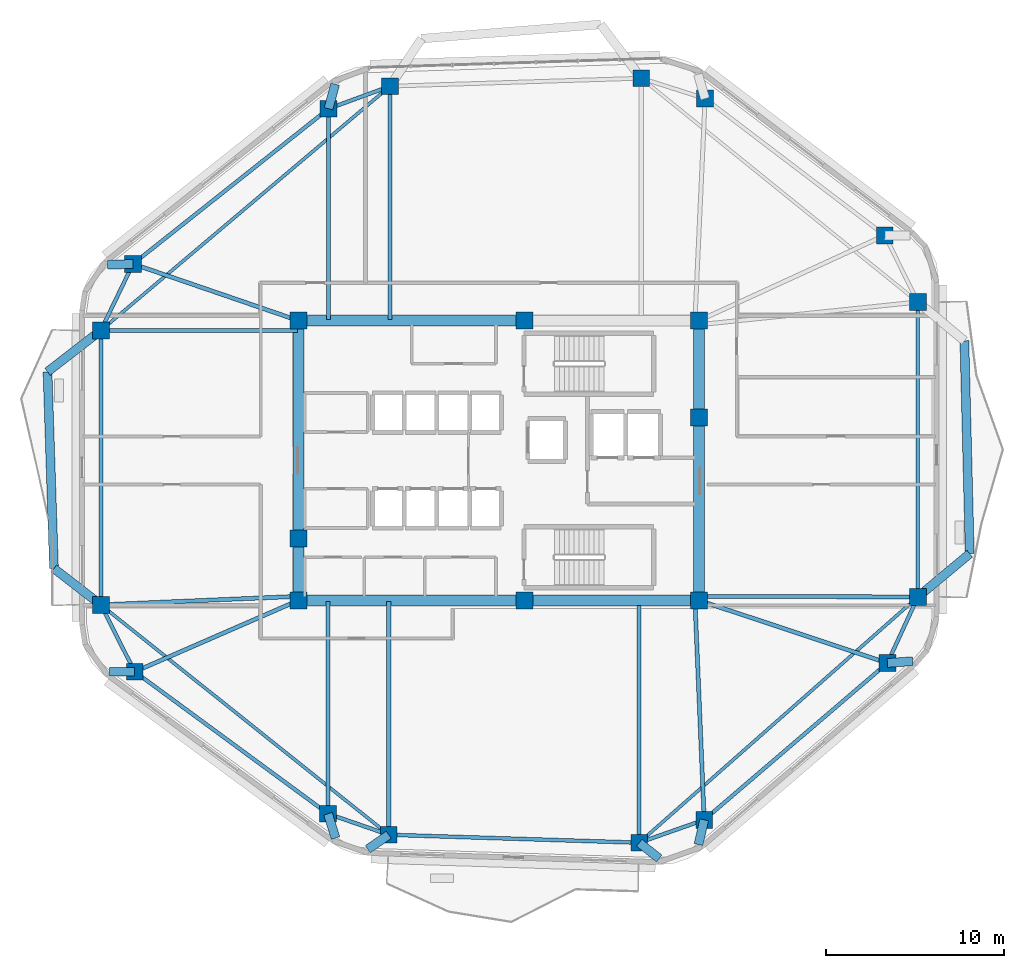
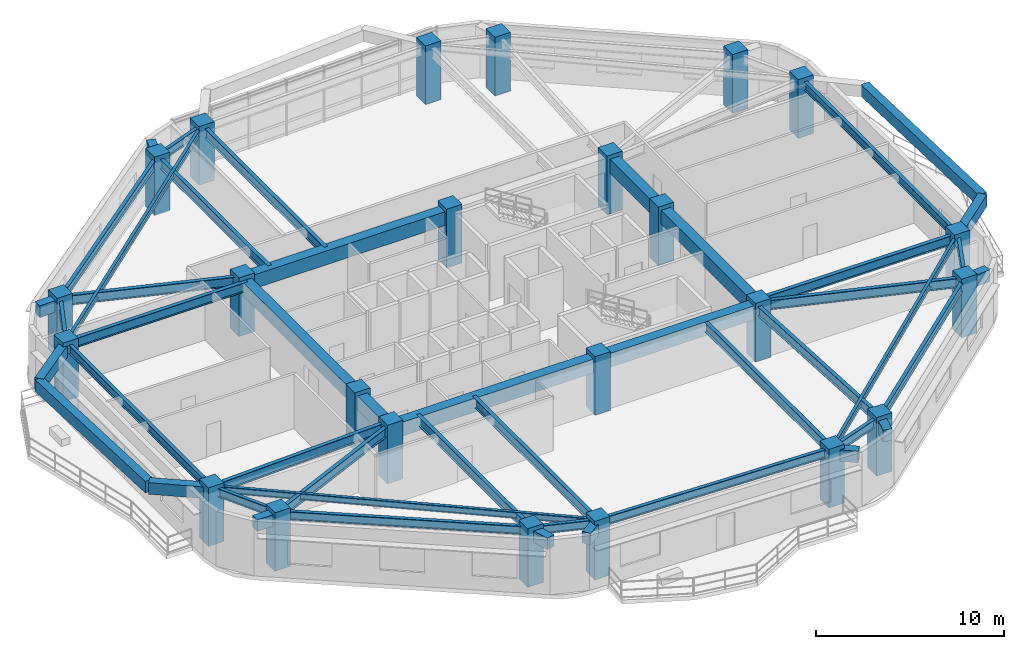
# One storey, part 1 of 12: 47 beams, 24 columns.
"""IFC4 building model written with IfcOpenShell, lengths in metres."""

from ifc_helpers import new_model, si_unit, direction, frame, origin, origin_2d, place, context, subcontext, project, spatial, rectangle, i_section, extrude, material, material_profile, profile_set, type_object, element, save


model = new_model("IFC4")

# Units and contexts
model_context = context("Model", 3, precision=1e-05, world=origin(), true_north=direction((0.0, 1.0)))
body_context = subcontext(model_context, "Body", "Model", "MODEL_VIEW")
ifc_project = project(units=[si_unit("LENGTHUNIT", "METRE"), si_unit("AREAUNIT", "SQUARE_METRE"), si_unit("VOLUMEUNIT", "CUBIC_METRE"), si_unit("PLANEANGLEUNIT", "RADIAN"), si_unit("MASSUNIT", "GRAM", prefix="KILO")], contexts=[model_context])

# Site, building, storey
site_placement = place(None, origin())
site = spatial("IfcSite", under=ifc_project, at=site_placement, CompositionType="ELEMENT")
building_placement = place(site_placement, origin())
building = spatial("IfcBuilding", under=site, at=building_placement, Name="Zulverin Broadcast Headquarters", CompositionType="ELEMENT")
storey_placement = place(building_placement, frame((0.0, 0.0, 170.60009765625)))
storey = spatial("IfcBuildingStorey", under=building, at=storey_placement, Name="L43", CompositionType="ELEMENT", Elevation=170.60009765625)

# Columns
ifc_material_1 = material(Name="Concrete C50/60", Category="concrete")
ifc_material_profile_1 = material_profile(ifc_material_1, rectangle(XDim=0.949951171875, YDim=0.949951171875, at=origin_2d()), Name="Concrete C50/60", Category="concrete")
ifc_profile_set_1 = profile_set([ifc_material_profile_1], Name="Concrete C50/60")
column_type_1 = type_object("IfcColumnType", Name="COL-RC-950", PredefinedType="COLUMN", material=ifc_profile_set_1)
for number, where, z_axis, x_axis, name in (
    (1, (30.80859375, 4.12744140625, 0.0), (0.0, 0.0, 1.0), (1.0, 0.0, 0.0), "L43 Perimeter Column T01"),
    (2, (44.909912109375, 3.68017578125, 0.0), (0.0, 0.0, 1.0), (1.0, 0.0, 0.0), "L43 Perimeter Column T02"),
    (3, (48.569580078125, 4.967041015625, 0.0), (0.0, 0.0, 1.0), (1.0, 0.0, 0.0), "L43 Perimeter Column T03"),
    (4, (58.886962890625, 13.798095703125, 0.0), (0.0, 0.0, 1.0), (1.0, 0.0, 0.0), "L43 Perimeter Column T04"),
    (5, (60.60009765625, 17.519287109375, 0.0), (0.0, 0.0, 1.0), (1.0, 0.0, 0.0), "L43 Perimeter Column T05"),
    (6, (60.60009765625, 34.12158203125, 0.0), (0.0, 0.0, 1.0), (1.0, 0.0, 0.0), "L43 Perimeter Column T06"),
    (7, (58.738037109375, 37.877685546875, 0.0), (0.0, 0.0, 1.0), (1.0, 0.0, 0.0), "L43 Perimeter Column T07"),
    (8, (48.62158203125, 45.574951171875, 0.0), (0.0, 0.0, 1.0), (1.0, 0.0, 0.0), "L43 Perimeter Column T08"),
    (9, (45.027587890625, 46.7236328125, 0.0), (0.0, 0.0, 1.0), (1.0, 0.0, 0.0), "L43 Perimeter Column T09"),
    (10, (30.882080078125, 46.27490234375, 0.0), (0.0, 0.0, 1.0), (1.0, 0.0, 0.0), "L43 Perimeter Column T10"),
    (11, (27.416259765625, 45.00439453125, 0.0), (0.0, 0.0, 1.0), (1.0, 0.0, 0.0), "L43 Perimeter Column T11"),
    (12, (16.40869140625, 36.26806640625, 0.0), (0.0, 0.0, 1.0), (1.0, 0.0, 0.0), "L43 Perimeter Column T12"),
    (13, (14.60009765625, 32.523193359375, 0.0), (0.0, 0.0, 1.0), (1.0, 0.0, 0.0), "L43 Perimeter Column T13"),
    (14, (14.60009765625, 17.072021484375, 0.0), (0.0, 0.0, 1.0), (1.0, 0.0, 0.0), "L43 Perimeter Column T14"),
    (15, (16.50537109375, 13.306884765625, 0.0), (0.0, 0.0, 1.0), (1.0, 0.0, 0.0), "L43 Perimeter Column T15"),
    (16, (27.38720703125, 5.309814453125, 0.0), (0.0, 0.0, 1.0), (1.0, 0.0, 0.0), "L43 Perimeter Column T16"),
):
    element("IfcColumn", number, at=place(storey_placement, frame(where, z_axis=z_axis, x_axis=x_axis)), inside=storey, type_object=column_type_1, Name=name, PredefinedType="COLUMN", context=body_context, shape_type="SweptSolid", body=[
        extrude(rectangle(XDim=0.949951171875, YDim=0.949951171875, at=origin_2d()), origin(), (0.0, 0.0, 1.0), 3.7998046875),
    ])
ifc_material_profile_2 = material_profile(ifc_material_1, rectangle(XDim=0.949951171875, YDim=0.949951171875, at=origin_2d()), Name="Concrete C50/60", Category="concrete")
ifc_profile_set_2 = profile_set([ifc_material_profile_2], Name="Concrete C50/60")
column_type_2 = type_object("IfcColumnType", Name="PIL-RC-950", PredefinedType="PILASTER", material=ifc_profile_set_2)
for number, where, z_axis, x_axis, name in (
    (17, (25.72509765625, 17.324951171875, 0.0), (0.0, 0.0, 1.0), (1.0, 0.0, 0.0), "L43 Core Pilaster K01"),
    (18, (38.449951171875, 17.324951171875, 0.0), (0.0, 0.0, 1.0), (1.0, 0.0, 0.0), "L43 Core Pilaster K02"),
    (19, (48.27490234375, 17.324951171875, 0.0), (0.0, 0.0, 1.0), (1.0, 0.0, 0.0), "L43 Core Pilaster K03"),
    (20, (48.27490234375, 27.6201171875, 0.0), (0.0, 0.0, 1.0), (1.0, 0.0, 0.0), "L43 Core Pilaster K04"),
    (21, (48.27490234375, 33.074951171875, 0.0), (0.0, 0.0, 1.0), (1.0, 0.0, 0.0), "L43 Core Pilaster K05"),
    (22, (38.449951171875, 33.074951171875, 0.0), (0.0, 0.0, 1.0), (1.0, 0.0, 0.0), "L43 Core Pilaster K06"),
    (23, (25.72509765625, 33.074951171875, 0.0), (0.0, 0.0, 1.0), (1.0, 0.0, 0.0), "L43 Core Pilaster K07"),
    (24, (25.72509765625, 20.800048828125, 0.0), (0.0, 0.0, 1.0), (1.0, 0.0, 0.0), "L43 Core Pilaster K08"),
):
    element("IfcColumn", number, at=place(storey_placement, frame(where, z_axis=z_axis, x_axis=x_axis)), inside=storey, type_object=column_type_2, Name=name, PredefinedType="PILASTER", context=body_context, shape_type="SweptSolid", body=[
        extrude(rectangle(XDim=0.949951171875, YDim=0.949951171875, at=origin_2d()), origin(), (0.0, 0.0, 1.0), 3.7998046875),
    ])

# Beams
ifc_material_2 = material(Name="Concrete C60/75", Category="concrete")
ifc_material_profile_3 = material_profile(ifc_material_2, rectangle(XDim=0.60009765625, YDim=0.89990234375, at=origin_2d()), Name="Concrete C60/75", Category="concrete")
ifc_profile_set_3 = profile_set([ifc_material_profile_3], Name="Concrete C60/75")
beam_type_1 = type_object("IfcBeamType", Name="BM-CB-600x900", PredefinedType="LINTEL", material=ifc_profile_set_3)
beam_1_placement = place(storey_placement, frame((25.72509765625, 17.324951171875, 3.08984375), z_axis=(1.0, 0.0, 0.0), x_axis=(0.0, 1.0, 0.0)))
element("IfcBeam", 25, at=beam_1_placement, inside=storey, type_object=beam_type_1, Name="L43 Core Coupling Girder K01-K02", PredefinedType="LINTEL", context=body_context, shape_type="SweptSolid", body=[
    extrude(rectangle(XDim=0.60009765625, YDim=0.89990234375, at=origin_2d()), origin(), (0.0, 0.0, 1.0), 12.724853515625),
])
beam_2_placement = place(storey_placement, frame((38.449951171875, 17.324951171875, 3.08984375), z_axis=(1.0, 0.0, 0.0), x_axis=(0.0, 1.0, 0.0)))
element("IfcBeam", 26, at=beam_2_placement, inside=storey, type_object=beam_type_1, Name="L43 Core Coupling Girder K02-K03", PredefinedType="LINTEL", context=body_context, shape_type="SweptSolid", body=[
    extrude(rectangle(XDim=0.60009765625, YDim=0.89990234375, at=origin_2d()), origin(), (0.0, 0.0, 1.0), 9.824951171875),
])
beam_3_placement = place(storey_placement, frame((48.27490234375, 17.324951171875, 3.08984375), z_axis=(0.0, 1.0, 0.0), x_axis=(-1.0, 0.0, 0.0)))
element("IfcBeam", 27, at=beam_3_placement, inside=storey, type_object=beam_type_1, Name="L43 Core Coupling Girder K03-K04", PredefinedType="LINTEL", context=body_context, shape_type="SweptSolid", body=[
    extrude(rectangle(XDim=0.60009765625, YDim=0.89990234375, at=origin_2d()), origin(), (0.0, 0.0, 1.0), 10.295166015625),
])
beam_4_placement = place(storey_placement, frame((48.27490234375, 27.6201171875, 3.08984375), z_axis=(0.0, 1.0, 0.0), x_axis=(-1.0, 0.0, 0.0)))
element("IfcBeam", 28, at=beam_4_placement, inside=storey, type_object=beam_type_1, Name="L43 Core Coupling Girder K04-K05", PredefinedType="LINTEL", context=body_context, shape_type="SweptSolid", body=[
    extrude(rectangle(XDim=0.60009765625, YDim=0.89990234375, at=origin_2d()), origin(), (0.0, 0.0, 1.0), 5.454833984375),
])
beam_5_placement = place(storey_placement, frame((38.449951171875, 33.074951171875, 3.08984375), z_axis=(-1.0, 0.0, 0.0), x_axis=(0.0, -1.0, 0.0)))
element("IfcBeam", 29, at=beam_5_placement, inside=storey, type_object=beam_type_1, Name="L43 Core Coupling Girder K06-K07", PredefinedType="LINTEL", context=body_context, shape_type="SweptSolid", body=[
    extrude(rectangle(XDim=0.60009765625, YDim=0.89990234375, at=origin_2d()), origin(), (0.0, 0.0, 1.0), 12.724853515625),
])
beam_6_placement = place(storey_placement, frame((25.72509765625, 33.074951171875, 3.08984375), z_axis=(0.0, -1.0, 0.0), x_axis=(1.0, 0.0, 0.0)))
element("IfcBeam", 30, at=beam_6_placement, inside=storey, type_object=beam_type_1, Name="L43 Core Coupling Girder K07-K08", PredefinedType="LINTEL", context=body_context, shape_type="SweptSolid", body=[
    extrude(rectangle(XDim=0.60009765625, YDim=0.89990234375, at=origin_2d()), origin(), (0.0, 0.0, 1.0), 12.27490234375),
])
beam_7_placement = place(storey_placement, frame((25.72509765625, 20.800048828125, 3.08984375), z_axis=(0.0, -1.0, 0.0), x_axis=(1.0, 0.0, 0.0)))
element("IfcBeam", 31, at=beam_7_placement, inside=storey, type_object=beam_type_1, Name="L43 Core Coupling Girder K08-K01", PredefinedType="LINTEL", context=body_context, shape_type="SweptSolid", body=[
    extrude(rectangle(XDim=0.60009765625, YDim=0.89990234375, at=origin_2d()), origin(), (0.0, 0.0, 1.0), 3.47509765625),
])
ifc_material_3 = material(Name="Concrete C40/50", Category="concrete")
ifc_material_profile_4 = material_profile(ifc_material_3, rectangle(XDim=0.5, YDim=0.75, at=origin_2d()), Name="Concrete C40/50", Category="concrete")
ifc_profile_set_4 = profile_set([ifc_material_profile_4], Name="Concrete C40/50")
beam_type_2 = type_object("IfcBeamType", Name="BM-RC-500x750", PredefinedType="BEAM", material=ifc_profile_set_4)
beam_8_placement = place(storey_placement, frame((30.80859375, 4.12744140625, 3.164794921875), z_axis=(-0.822689690684, -0.568490697235, 0.0), x_axis=(0.568490697235, -0.822689690684, 0.0)))
element("IfcBeam", 32, at=beam_8_placement, inside=storey, type_object=beam_type_2, Name="L44 Plate Overhang Back-Spanned Beam OVR-01", PredefinedType="BEAM", context=body_context, shape_type="SweptSolid", body=[
    extrude(rectangle(XDim=0.5, YDim=0.75, at=origin_2d()), origin(), (0.0, 0.0, 1.0), 1.43017578125),
])
beam_9_placement = place(storey_placement, frame((44.909912109375, 3.68017578125, 3.164794921875), z_axis=(0.784900247321, -0.619622144339, 0.0), x_axis=(0.619622144339, 0.784900247321, 0.0)))
element("IfcBeam", 33, at=beam_9_placement, inside=storey, type_object=beam_type_2, Name="L44 Plate Overhang Back-Spanned Beam OVR-02", PredefinedType="BEAM", context=body_context, shape_type="SweptSolid", body=[
    extrude(rectangle(XDim=0.5, YDim=0.75, at=origin_2d()), origin(), (0.0, 0.0, 1.0), 1.429931640625),
])
for number, where, z_axis, x_axis, name in (
    (34, (48.569580078125, 4.967041015625, 3.164794921875), (-0.224497908308, -0.974474570815, 0.0), (0.974474570815, -0.224497908308, 0.0), "L44 Plate Overhang Back-Spanned Beam OVR-03"),
    (35, (58.886962890625, 13.798095703125, 3.164794921875), (0.997450894981, 0.071356233801, 0.0), (-0.071356233801, 0.997450894981, 0.0), "L44 Plate Overhang Back-Spanned Beam OVR-04"),
    (36, (27.416259765625, 45.00439453125, 3.164794921875), (0.260328526912, 0.965520097189, 0.0), (-0.965520097189, 0.260328526912, 0.0), "L44 Plate Overhang Back-Spanned Beam OVR-11"),
):
    element("IfcBeam", number, at=place(storey_placement, frame(where, z_axis=z_axis, x_axis=x_axis)), inside=storey, type_object=beam_type_2, Name=name, PredefinedType="BEAM", context=body_context, shape_type="SweptSolid", body=[
        extrude(rectangle(XDim=0.5, YDim=0.75, at=origin_2d()), origin(), (0.0, 0.0, 1.0), 1.43017578125),
    ])
for number, where, z_axis, x_axis, name in (
    (37, (16.40869140625, 36.26806640625, 3.164794921875), (-0.999411057508, -0.034315275463, 0.0), (0.034315275463, -0.999411057508, 0.0), "L44 Plate Overhang Back-Spanned Beam OVR-12"),
    (38, (16.50537109375, 13.306884765625, 3.164794921875), (-0.999996268726, -0.002731763753, 0.0), (0.002731763753, -0.999996268726, 0.0), "L44 Plate Overhang Back-Spanned Beam OVR-15"),
):
    element("IfcBeam", number, at=place(storey_placement, frame(where, z_axis=z_axis, x_axis=x_axis)), inside=storey, type_object=beam_type_2, Name=name, PredefinedType="BEAM", context=body_context, shape_type="SweptSolid", body=[
        extrude(rectangle(XDim=0.5, YDim=0.75, at=origin_2d()), origin(), (0.0, 0.0, 1.0), 1.429931640625),
    ])
beam_10_placement = place(storey_placement, frame((27.38720703125, 5.309814453125, 3.164794921875), z_axis=(0.296184429368, -0.955130767905, 0.0), x_axis=(0.955130767905, 0.296184429368, 0.0)))
element("IfcBeam", 39, at=beam_10_placement, inside=storey, type_object=beam_type_2, Name="L44 Plate Overhang Back-Spanned Beam OVR-16", PredefinedType="BEAM", context=body_context, shape_type="SweptSolid", body=[
    extrude(rectangle(XDim=0.5, YDim=0.75, at=origin_2d()), origin(), (0.0, 0.0, 1.0), 1.43017578125),
])
beam_11_placement = place(storey_placement, frame((60.60009765625, 17.519287109375, 3.164794921875), z_axis=(0.768400300007, 0.639969514078, 0.0), x_axis=(-0.639969514078, 0.768400300007, 0.0)))
element("IfcBeam", 40, at=beam_11_placement, inside=storey, type_object=beam_type_2, Name="L44 Balcony Column-Framed Cantilever BAL_E-1", PredefinedType="BEAM", context=body_context, shape_type="SweptSolid", body=[
    extrude(rectangle(XDim=0.5, YDim=0.75, at=origin_2d()), origin(), (0.0, 0.0, 1.0), 3.800048828125),
])
beam_12_placement = place(storey_placement, frame((63.52001953125, 19.951171875, 3.164794921875), z_axis=(-0.025020166122, 0.999686946642, 0.0), x_axis=(-0.999686946642, -0.025020166122, 0.0)))
element("IfcBeam", 41, at=beam_12_placement, inside=storey, type_object=beam_type_2, Name="L44 Balcony Outer Edge Trimmer Beam BAL_E", PredefinedType="BEAM", context=body_context, shape_type="SweptSolid", body=[
    extrude(rectangle(XDim=0.5, YDim=0.75, at=origin_2d()), origin(), (0.0, 0.0, 1.0), 11.9921875),
])
beam_13_placement = place(storey_placement, frame((14.60009765625, 32.523193359375, 3.164794921875), z_axis=(-0.790637422513, -0.612284628356, 0.0), x_axis=(0.612284628356, -0.790637422513, 0.0)))
element("IfcBeam", 42, at=beam_13_placement, inside=storey, type_object=beam_type_2, Name="L44 Balcony Column-Framed Cantilever BAL_W-1", PredefinedType="BEAM", context=body_context, shape_type="SweptSolid", body=[
    extrude(rectangle(XDim=0.5, YDim=0.75, at=origin_2d()), origin(), (0.0, 0.0, 1.0), 3.800048828125),
])
beam_14_placement = place(storey_placement, frame((14.60009765625, 17.072021484375, 3.164794921875), z_axis=(-0.790648422099, 0.61227042443, 0.0), x_axis=(-0.61227042443, -0.790648422099, 0.0)))
element("IfcBeam", 43, at=beam_14_placement, inside=storey, type_object=beam_type_2, Name="L44 Balcony Column-Framed Cantilever BAL_W-2", PredefinedType="BEAM", context=body_context, shape_type="SweptSolid", body=[
    extrude(rectangle(XDim=0.5, YDim=0.75, at=origin_2d()), origin(), (0.0, 0.0, 1.0), 3.34228515625),
])
beam_15_placement = place(storey_placement, frame((11.595703125, 30.196533203125, 3.164794921875), z_axis=(0.032643031647, -0.999467074238, 0.0), x_axis=(0.999467074238, 0.032643031647, 0.0)))
element("IfcBeam", 44, at=beam_15_placement, inside=storey, type_object=beam_type_2, Name="L44 Balcony Outer Edge Trimmer Beam BAL_W", PredefinedType="BEAM", context=body_context, shape_type="SweptSolid", body=[
    extrude(rectangle(XDim=0.5, YDim=0.75, at=origin_2d()), origin(), (0.0, 0.0, 1.0), 11.083984375),
])
ifc_material_4 = material(Name="Structural steel S355JR", Category="steel")
ifc_material_profile_5 = material_profile(ifc_material_4, i_section(OverallWidth=0.179443359375, OverallDepth=0.412841796875, WebThickness=0.009521484375, FlangeThickness=0.01611328125, at=origin_2d()), Name="Structural steel S355JR", Category="steel")
ifc_profile_set_5 = profile_set([ifc_material_profile_5], Name="Structural steel S355JR")
beam_type_3 = type_object("IfcBeamType", Name="BM-UB-406", PredefinedType="JOIST", material=ifc_profile_set_5)
beam_16_placement = place(storey_placement, frame((44.909912109375, 3.68017578125, 3.33349609375), z_axis=(0.74996043981, 0.661482682102, 0.0), x_axis=(-0.661482682102, 0.74996043981, 0.0)))
element("IfcBeam", 45, at=beam_16_placement, inside=storey, type_object=beam_type_3, Name="L43 Chordal Floor Joist J-01", PredefinedType="JOIST", context=body_context, shape_type="SweptSolid", body=[
    extrude(i_section(OverallWidth=0.179443359375, OverallDepth=0.412841796875, WebThickness=0.009521484375, FlangeThickness=0.01611328125, at=origin_2d()), origin(), (0.0, 0.0, 1.0), 20.92138671875),
])
beam_17_placement = place(storey_placement, frame((30.882080078125, 46.27490234375, 3.33349609375), z_axis=(-0.763972566446, -0.645248725468, 0.0), x_axis=(0.645248725468, -0.763972566446, 0.0)))
element("IfcBeam", 46, at=beam_17_placement, inside=storey, type_object=beam_type_3, Name="L43 Chordal Floor Joist J-03", PredefinedType="JOIST", context=body_context, shape_type="SweptSolid", body=[
    extrude(i_section(OverallWidth=0.179443359375, OverallDepth=0.412841796875, WebThickness=0.009521484375, FlangeThickness=0.01611328125, at=origin_2d()), origin(), (0.0, 0.0, 1.0), 21.312255859375),
])
beam_18_placement = place(storey_placement, frame((14.60009765625, 17.072021484375, 3.33349609375), z_axis=(0.781390996609, -0.624041753746, 0.0), x_axis=(0.624041753746, 0.781390996609, 0.0)))
element("IfcBeam", 47, at=beam_18_placement, inside=storey, type_object=beam_type_3, Name="L43 Chordal Floor Joist J-04", PredefinedType="JOIST", context=body_context, shape_type="SweptSolid", body=[
    extrude(i_section(OverallWidth=0.179443359375, OverallDepth=0.412841796875, WebThickness=0.009521484375, FlangeThickness=0.01611328125, at=origin_2d()), origin(), (0.0, 0.0, 1.0), 20.7431640625),
])
ifc_material_profile_6 = material_profile(ifc_material_4, i_section(OverallWidth=0.2119140625, OverallDepth=0.54443359375, WebThickness=0.0126953125, FlangeThickness=0.021240234375, at=origin_2d()), Name="Structural steel S355JR", Category="steel")
ifc_profile_set_6 = profile_set([ifc_material_profile_6], Name="Structural steel S355JR")
beam_type_4 = type_object("IfcBeamType", Name="BM-UB-533", PredefinedType="SPANDREL", material=ifc_profile_set_6)
beam_19_placement = place(storey_placement, frame((30.80859375, 4.12744140625, 3.267578125), z_axis=(0.999497363437, -0.031702058031, 0.0), x_axis=(0.031702058031, 0.999497363437, 0.0)))
element("IfcBeam", 48, at=beam_19_placement, inside=storey, type_object=beam_type_4, Name="L43 Perimeter Spandrel Beam SP-01", PredefinedType="SPANDREL", context=body_context, shape_type="SweptSolid", body=[
    extrude(i_section(OverallWidth=0.2119140625, OverallDepth=0.54443359375, WebThickness=0.0126953125, FlangeThickness=0.021240234375, at=origin_2d()), origin(), (0.0, 0.0, 1.0), 14.1083984375),
])
beam_20_placement = place(storey_placement, frame((44.909912109375, 3.68017578125, 3.267578125), z_axis=(0.943376593622, 0.331723684121, 0.0), x_axis=(-0.331723684121, 0.943376593622, 0.0)))
element("IfcBeam", 49, at=beam_20_placement, inside=storey, type_object=beam_type_4, Name="L43 Perimeter Spandrel Beam SP-02", PredefinedType="SPANDREL", context=body_context, shape_type="SweptSolid", body=[
    extrude(i_section(OverallWidth=0.2119140625, OverallDepth=0.54443359375, WebThickness=0.0126953125, FlangeThickness=0.021240234375, at=origin_2d()), origin(), (0.0, 0.0, 1.0), 3.87939453125),
])
beam_21_placement = place(storey_placement, frame((48.569580078125, 4.967041015625, 3.267578125), z_axis=(0.759708170965, 0.650264173217, 0.0), x_axis=(-0.650264173217, 0.759708170965, 0.0)))
element("IfcBeam", 50, at=beam_21_placement, inside=storey, type_object=beam_type_4, Name="L43 Perimeter Spandrel Beam SP-03", PredefinedType="SPANDREL", context=body_context, shape_type="SweptSolid", body=[
    extrude(i_section(OverallWidth=0.2119140625, OverallDepth=0.54443359375, WebThickness=0.0126953125, FlangeThickness=0.021240234375, at=origin_2d()), origin(), (0.0, 0.0, 1.0), 13.580810546875),
])
beam_22_placement = place(storey_placement, frame((58.886962890625, 13.798095703125, 3.267578125), z_axis=(0.418184975358, 0.90836189175, 0.0), x_axis=(-0.90836189175, 0.418184975358, 0.0)))
element("IfcBeam", 51, at=beam_22_placement, inside=storey, type_object=beam_type_4, Name="L43 Perimeter Spandrel Beam SP-04", PredefinedType="SPANDREL", context=body_context, shape_type="SweptSolid", body=[
    extrude(i_section(OverallWidth=0.2119140625, OverallDepth=0.54443359375, WebThickness=0.0126953125, FlangeThickness=0.021240234375, at=origin_2d()), origin(), (0.0, 0.0, 1.0), 4.0966796875),
])
beam_23_placement = place(storey_placement, frame((60.60009765625, 17.519287109375, 3.267578125), z_axis=(0.0, 1.0, 0.0), x_axis=(-1.0, 0.0, 0.0)))
element("IfcBeam", 52, at=beam_23_placement, inside=storey, type_object=beam_type_4, Name="L43 Perimeter Spandrel Beam SP-05", PredefinedType="SPANDREL", context=body_context, shape_type="SweptSolid", body=[
    extrude(i_section(OverallWidth=0.2119140625, OverallDepth=0.54443359375, WebThickness=0.0126953125, FlangeThickness=0.021240234375, at=origin_2d()), origin(), (0.0, 0.0, 1.0), 16.602294921875),
])
beam_24_placement = place(storey_placement, frame((30.882080078125, 46.27490234375, 3.267578125), z_axis=(-0.938901965426, -0.344184687805, 0.0), x_axis=(0.344184687805, -0.938901965426, 0.0)))
element("IfcBeam", 53, at=beam_24_placement, inside=storey, type_object=beam_type_4, Name="L43 Perimeter Spandrel Beam SP-10", PredefinedType="SPANDREL", context=body_context, shape_type="SweptSolid", body=[
    extrude(i_section(OverallWidth=0.2119140625, OverallDepth=0.54443359375, WebThickness=0.0126953125, FlangeThickness=0.021240234375, at=origin_2d()), origin(), (0.0, 0.0, 1.0), 3.69140625),
])
beam_25_placement = place(storey_placement, frame((27.416259765625, 45.00439453125, 3.267578125), z_axis=(-0.783283263401, -0.621664965457, 0.0), x_axis=(0.621664965457, -0.783283263401, 0.0)))
element("IfcBeam", 54, at=beam_25_placement, inside=storey, type_object=beam_type_4, Name="L43 Perimeter Spandrel Beam SP-11", PredefinedType="SPANDREL", context=body_context, shape_type="SweptSolid", body=[
    extrude(i_section(OverallWidth=0.2119140625, OverallDepth=0.54443359375, WebThickness=0.0126953125, FlangeThickness=0.021240234375, at=origin_2d()), origin(), (0.0, 0.0, 1.0), 14.05322265625),
])
beam_26_placement = place(storey_placement, frame((16.40869140625, 36.26806640625, 3.267578125), z_axis=(-0.434890248034, -0.900483465792, 0.0), x_axis=(0.900483465792, -0.434890248034, 0.0)))
element("IfcBeam", 55, at=beam_26_placement, inside=storey, type_object=beam_type_4, Name="L43 Perimeter Spandrel Beam SP-12", PredefinedType="SPANDREL", context=body_context, shape_type="SweptSolid", body=[
    extrude(i_section(OverallWidth=0.2119140625, OverallDepth=0.54443359375, WebThickness=0.0126953125, FlangeThickness=0.021240234375, at=origin_2d()), origin(), (0.0, 0.0, 1.0), 4.15869140625),
])
beam_27_placement = place(storey_placement, frame((14.60009765625, 32.523193359375, 3.267578125), z_axis=(0.0, -1.0, 0.0), x_axis=(1.0, 0.0, 0.0)))
element("IfcBeam", 56, at=beam_27_placement, inside=storey, type_object=beam_type_4, Name="L43 Perimeter Spandrel Beam SP-13", PredefinedType="SPANDREL", context=body_context, shape_type="SweptSolid", body=[
    extrude(i_section(OverallWidth=0.2119140625, OverallDepth=0.54443359375, WebThickness=0.0126953125, FlangeThickness=0.021240234375, at=origin_2d()), origin(), (0.0, 0.0, 1.0), 15.451171875),
])
beam_28_placement = place(storey_placement, frame((14.60009765625, 17.072021484375, 3.267578125), z_axis=(0.451512947895, -0.892264567201, 0.0), x_axis=(0.892264567201, 0.451512947895, 0.0)))
element("IfcBeam", 57, at=beam_28_placement, inside=storey, type_object=beam_type_4, Name="L43 Perimeter Spandrel Beam SP-14", PredefinedType="SPANDREL", context=body_context, shape_type="SweptSolid", body=[
    extrude(i_section(OverallWidth=0.2119140625, OverallDepth=0.54443359375, WebThickness=0.0126953125, FlangeThickness=0.021240234375, at=origin_2d()), origin(), (0.0, 0.0, 1.0), 4.2197265625),
])
beam_29_placement = place(storey_placement, frame((16.50537109375, 13.306884765625, 3.267578125), z_axis=(0.805802234061, -0.592184734338, 0.0), x_axis=(0.592184734338, 0.805802234061, 0.0)))
element("IfcBeam", 58, at=beam_29_placement, inside=storey, type_object=beam_type_4, Name="L43 Perimeter Spandrel Beam SP-15", PredefinedType="SPANDREL", context=body_context, shape_type="SweptSolid", body=[
    extrude(i_section(OverallWidth=0.2119140625, OverallDepth=0.54443359375, WebThickness=0.0126953125, FlangeThickness=0.021240234375, at=origin_2d()), origin(), (0.0, 0.0, 1.0), 13.50439453125),
])
beam_30_placement = place(storey_placement, frame((27.38720703125, 5.309814453125, 3.267578125), z_axis=(0.945152732867, -0.326628705956, 0.0), x_axis=(0.326628705956, 0.945152732867, 0.0)))
element("IfcBeam", 59, at=beam_30_placement, inside=storey, type_object=beam_type_4, Name="L43 Perimeter Spandrel Beam SP-16", PredefinedType="SPANDREL", context=body_context, shape_type="SweptSolid", body=[
    extrude(i_section(OverallWidth=0.2119140625, OverallDepth=0.54443359375, WebThickness=0.0126953125, FlangeThickness=0.021240234375, at=origin_2d()), origin(), (0.0, 0.0, 1.0), 3.619873046875),
])
ifc_material_profile_7 = material_profile(ifc_material_4, i_section(OverallWidth=0.230224609375, OverallDepth=0.6171875, WebThickness=0.01318359375, FlangeThickness=0.022216796875, at=origin_2d()), Name="Structural steel S355JR", Category="steel")
ifc_profile_set_7 = profile_set([ifc_material_profile_7], Name="Structural steel S355JR")
beam_type_5 = type_object("IfcBeamType", Name="BM-UB-610", PredefinedType="BEAM", material=ifc_profile_set_7)
beam_31_placement = place(storey_placement, frame((30.80859375, 17.27490234375, 3.231201171875), z_axis=(0.0, -1.0, 0.0), x_axis=(1.0, 0.0, 0.0)))
element("IfcBeam", 60, at=beam_31_placement, inside=storey, type_object=beam_type_5, Name="L43 Radial Primary Floor Beam RB-01", PredefinedType="BEAM", context=body_context, shape_type="SweptSolid", body=[
    extrude(i_section(OverallWidth=0.230224609375, OverallDepth=0.6171875, WebThickness=0.01318359375, FlangeThickness=0.022216796875, at=origin_2d()), origin(), (0.0, 0.0, 1.0), 13.1474609375),
])
beam_32_placement = place(storey_placement, frame((44.909912109375, 17.27490234375, 3.231201171875), z_axis=(0.0, -1.0, 0.0), x_axis=(1.0, 0.0, 0.0)))
element("IfcBeam", 61, at=beam_32_placement, inside=storey, type_object=beam_type_5, Name="L43 Radial Primary Floor Beam RB-02", PredefinedType="BEAM", context=body_context, shape_type="SweptSolid", body=[
    extrude(i_section(OverallWidth=0.230224609375, OverallDepth=0.6171875, WebThickness=0.01318359375, FlangeThickness=0.022216796875, at=origin_2d()), origin(), (0.0, 0.0, 1.0), 13.5947265625),
])
beam_33_placement = place(storey_placement, frame((48.050048828125, 17.27490234375, 3.231201171875), z_axis=(0.042173778549, -0.99911029041, 0.0), x_axis=(0.99911029041, 0.042173778549, 0.0)))
element("IfcBeam", 62, at=beam_33_placement, inside=storey, type_object=beam_type_5, Name="L43 Radial Primary Floor Beam RB-03", PredefinedType="BEAM", context=body_context, shape_type="SweptSolid", body=[
    extrude(i_section(OverallWidth=0.230224609375, OverallDepth=0.6171875, WebThickness=0.01318359375, FlangeThickness=0.022216796875, at=origin_2d()), origin(), (0.0, 0.0, 1.0), 12.31884765625),
])
beam_34_placement = place(storey_placement, frame((48.27490234375, 17.324951171875, 3.231201171875), z_axis=(0.948964552547, -0.315382748432, 0.0), x_axis=(0.315382748432, 0.948964552547, 0.0)))
element("IfcBeam", 63, at=beam_34_placement, inside=storey, type_object=beam_type_5, Name="L43 Radial Primary Floor Beam RB-04", PredefinedType="BEAM", context=body_context, shape_type="SweptSolid", body=[
    extrude(i_section(OverallWidth=0.230224609375, OverallDepth=0.6171875, WebThickness=0.01318359375, FlangeThickness=0.022216796875, at=origin_2d()), origin(), (0.0, 0.0, 1.0), 11.182861328125),
])
beam_35_placement = place(storey_placement, frame((48.324951171875, 17.550048828125, 3.231201171875), z_axis=(0.999996859956, -0.002506008559, 0.0), x_axis=(0.002506008559, 0.999996859956, 0.0)))
element("IfcBeam", 64, at=beam_35_placement, inside=storey, type_object=beam_type_5, Name="L43 Radial Primary Floor Beam RB-05", PredefinedType="BEAM", context=body_context, shape_type="SweptSolid", body=[
    extrude(i_section(OverallWidth=0.230224609375, OverallDepth=0.6171875, WebThickness=0.01318359375, FlangeThickness=0.022216796875, at=origin_2d()), origin(), (0.0, 0.0, 1.0), 12.275146484375),
])
beam_36_placement = place(storey_placement, frame((30.882080078125, 33.125, 3.231201171875), z_axis=(0.0, 1.0, 0.0), x_axis=(-1.0, 0.0, 0.0)))
element("IfcBeam", 65, at=beam_36_placement, inside=storey, type_object=beam_type_5, Name="L43 Radial Primary Floor Beam RB-10", PredefinedType="BEAM", context=body_context, shape_type="SweptSolid", body=[
    extrude(i_section(OverallWidth=0.230224609375, OverallDepth=0.6171875, WebThickness=0.01318359375, FlangeThickness=0.022216796875, at=origin_2d()), origin(), (0.0, 0.0, 1.0), 13.14990234375),
])
beam_37_placement = place(storey_placement, frame((27.416259765625, 33.125, 3.231201171875), z_axis=(0.0, 1.0, 0.0), x_axis=(-1.0, 0.0, 0.0)))
element("IfcBeam", 66, at=beam_37_placement, inside=storey, type_object=beam_type_5, Name="L43 Radial Primary Floor Beam RB-11", PredefinedType="BEAM", context=body_context, shape_type="SweptSolid", body=[
    extrude(i_section(OverallWidth=0.230224609375, OverallDepth=0.6171875, WebThickness=0.01318359375, FlangeThickness=0.022216796875, at=origin_2d()), origin(), (0.0, 0.0, 1.0), 11.87939453125),
])
beam_38_placement = place(storey_placement, frame((25.72509765625, 33.074951171875, 3.231201171875), z_axis=(-0.945979621685, 0.324226086793, 0.0), x_axis=(-0.324226086793, -0.945979621685, 0.0)))
element("IfcBeam", 67, at=beam_38_placement, inside=storey, type_object=beam_type_5, Name="L43 Radial Primary Floor Beam RB-12", PredefinedType="BEAM", context=body_context, shape_type="SweptSolid", body=[
    extrude(i_section(OverallWidth=0.230224609375, OverallDepth=0.6171875, WebThickness=0.01318359375, FlangeThickness=0.022216796875, at=origin_2d()), origin(), (0.0, 0.0, 1.0), 9.848388671875),
])
beam_39_placement = place(storey_placement, frame((25.675048828125, 32.523193359375, 3.231201171875), z_axis=(-1.0, 0.0, 0.0), x_axis=(0.0, -1.0, 0.0)))
element("IfcBeam", 68, at=beam_39_placement, inside=storey, type_object=beam_type_5, Name="L43 Radial Primary Floor Beam RB-13", PredefinedType="BEAM", context=body_context, shape_type="SweptSolid", body=[
    extrude(i_section(OverallWidth=0.230224609375, OverallDepth=0.6171875, WebThickness=0.01318359375, FlangeThickness=0.022216796875, at=origin_2d()), origin(), (0.0, 0.0, 1.0), 11.074951171875),
])
beam_40_placement = place(storey_placement, frame((25.675048828125, 17.550048828125, 3.231201171875), z_axis=(-0.999069780306, -0.043122779134, 0.0), x_axis=(0.043122779134, -0.999069780306, 0.0)))
element("IfcBeam", 69, at=beam_40_placement, inside=storey, type_object=beam_type_5, Name="L43 Radial Primary Floor Beam RB-14", PredefinedType="BEAM", context=body_context, shape_type="SweptSolid", body=[
    extrude(i_section(OverallWidth=0.230224609375, OverallDepth=0.6171875, WebThickness=0.01318359375, FlangeThickness=0.022216796875, at=origin_2d()), origin(), (0.0, 0.0, 1.0), 11.085205078125),
])
beam_41_placement = place(storey_placement, frame((25.72509765625, 17.324951171875, 3.231201171875), z_axis=(-0.916724690104, -0.39951951461, 0.0), x_axis=(0.39951951461, -0.916724690104, 0.0)))
element("IfcBeam", 70, at=beam_41_placement, inside=storey, type_object=beam_type_5, Name="L43 Radial Primary Floor Beam RB-15", PredefinedType="BEAM", context=body_context, shape_type="SweptSolid", body=[
    extrude(i_section(OverallWidth=0.230224609375, OverallDepth=0.6171875, WebThickness=0.01318359375, FlangeThickness=0.022216796875, at=origin_2d()), origin(), (0.0, 0.0, 1.0), 10.05712890625),
])
beam_42_placement = place(storey_placement, frame((27.38720703125, 17.27490234375, 3.231201171875), z_axis=(0.0, -1.0, 0.0), x_axis=(1.0, 0.0, 0.0)))
element("IfcBeam", 71, at=beam_42_placement, inside=storey, type_object=beam_type_5, Name="L43 Radial Primary Floor Beam RB-16", PredefinedType="BEAM", context=body_context, shape_type="SweptSolid", body=[
    extrude(i_section(OverallWidth=0.230224609375, OverallDepth=0.6171875, WebThickness=0.01318359375, FlangeThickness=0.022216796875, at=origin_2d()), origin(), (0.0, 0.0, 1.0), 11.965087890625),
])

save(model, "model.ifc")
